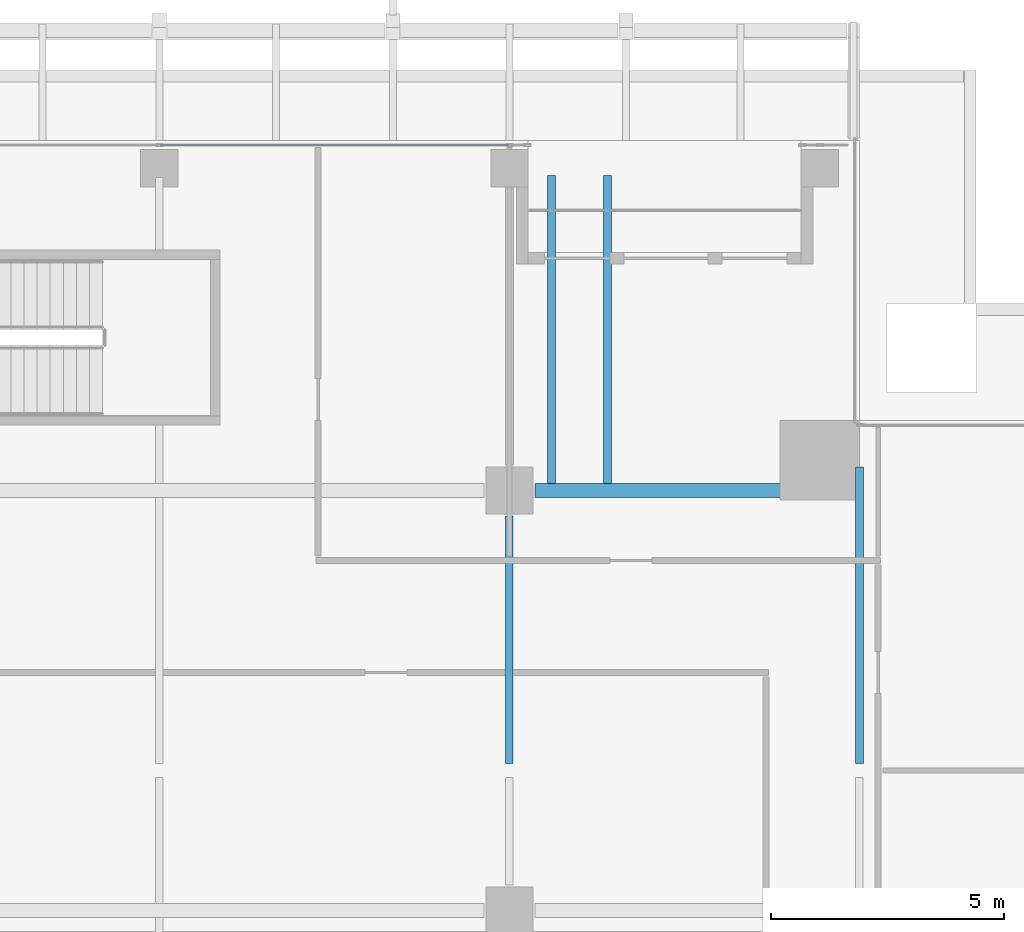
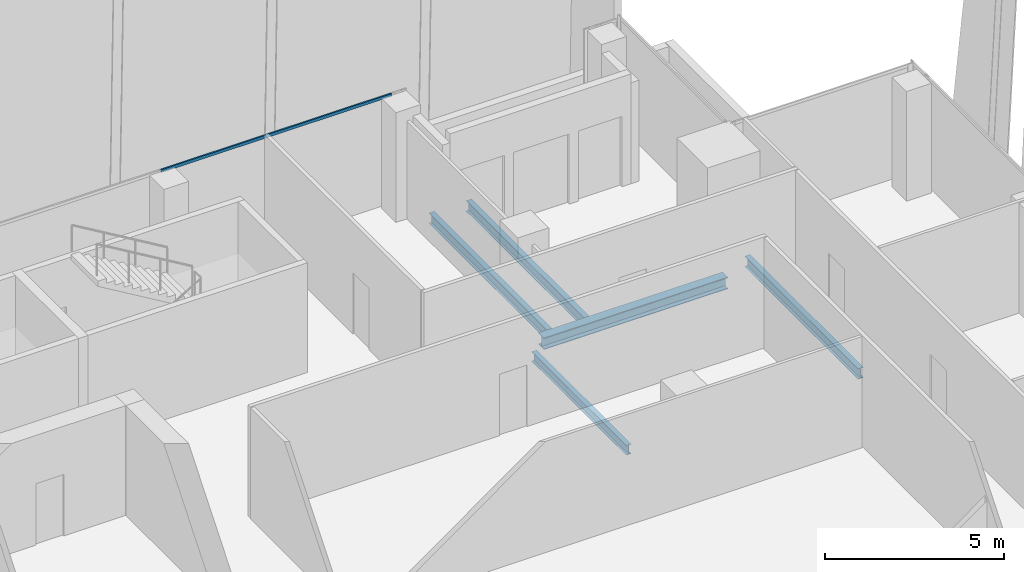
# One storey, part 16 of 32: 5 beams, 1 member, 1 element without a shape of its own.
"""IFC4 building model written with IfcOpenShell, lengths in metres."""

from ifc_helpers import new_model, si_unit, direction, frame, origin, origin_2d, place, context, subcontext, project, spatial, hollow_rectangle, i_section, extrude, source, transform, mapped, material, material_profile, profile_set, type_object, element, aggregate, save


model = new_model("IFC4")

# Units and contexts
model_context = context("Model", 3, precision=1e-05, world=origin(), true_north=direction((0.0, 1.0)))
body_context = subcontext(model_context, "Body", "Model", "MODEL_VIEW")
ifc_project = project(units=[si_unit("LENGTHUNIT", "METRE"), si_unit("AREAUNIT", "SQUARE_METRE"), si_unit("VOLUMEUNIT", "CUBIC_METRE"), si_unit("PLANEANGLEUNIT", "RADIAN"), si_unit("MASSUNIT", "GRAM", prefix="KILO")], contexts=[model_context])

# Site, building, storey
site_placement = place(None, origin())
site = spatial("IfcSite", under=ifc_project, at=site_placement, CompositionType="ELEMENT")
building_placement = place(site_placement, origin())
building = spatial("IfcBuilding", under=site, at=building_placement, Name="Khomas Fold Tower", CompositionType="ELEMENT")
storey_placement = place(building_placement, frame((0.0, 0.0, 282.199951171875)))
storey = spatial("IfcBuildingStorey", under=building, at=storey_placement, Name="L63", CompositionType="ELEMENT", Elevation=282.199951171875)

# Beams
ifc_material_1 = material(Name="Steel S355", Category="steel")
ifc_material_profile_1 = material_profile(ifc_material_1, i_section(OverallWidth=0.300048828125, OverallDepth=0.39990234375, WebThickness=0.013427734375, FlangeThickness=0.02392578125, at=origin_2d()), Name="HE 400 B")
ifc_profile_set_1 = profile_set([ifc_material_profile_1], Name="Steel S355")
beam_type_1 = type_object("IfcBeamType", Name="HE 400 B beam GB1", PredefinedType="BEAM", material=ifc_profile_set_1)
shared_shape_1 = source(origin(), body_context, "Body", "SweptSolid", [
    extrude(i_section(OverallWidth=0.300048828125, OverallDepth=0.39990234375, WebThickness=0.013427734375, FlangeThickness=0.02392578125, at=origin_2d()), origin(), (0.0, 0.0, 1.0), 5.949951171875),
])
beam_1_placement = place(storey_placement, frame((35.050048828125, 40.5, -0.449951171875), z_axis=(1.0, 0.0, 0.0), x_axis=(0.0, 1.0, 0.0)))
element("IfcBeam", 1, at=beam_1_placement, inside=storey, type_object=beam_type_1, Name="GB1", PredefinedType="BEAM", context=body_context, shape_type="MappedRepresentation", body=[
    mapped(shared_shape_1, transform((0.0, 0.0, 0.0))),
])
ifc_material_2 = material(Name="Steel S355", Category="steel")
ifc_material_profile_2 = material_profile(ifc_material_2, i_section(OverallWidth=0.159912109375, OverallDepth=0.330078125, WebThickness=0.007568359375, FlangeThickness=0.011474609375, at=origin_2d()), Name="IPE 330")
ifc_profile_set_2 = profile_set([ifc_material_profile_2], Name="Steel S355")
beam_type_2 = type_object("IfcBeamType", Name="IPE 330 beam JB1", PredefinedType="BEAM", material=ifc_profile_set_2)
shared_shape_2 = source(origin(), body_context, "Body", "SweptSolid", [
    extrude(i_section(OverallWidth=0.159912109375, OverallDepth=0.330078125, WebThickness=0.007568359375, FlangeThickness=0.011474609375, at=origin_2d()), origin(), (0.0, 0.0, 1.0), 5.299072265625),
])
beam_2_placement = place(storey_placement, frame((34.5, 34.65087890625, -0.4150390625), z_axis=(0.0, 1.0, 0.0), x_axis=(-1.0, 0.0, 0.0)))
element("IfcBeam", 2, at=beam_2_placement, inside=storey, type_object=beam_type_2, Name="JB1", PredefinedType="BEAM", context=body_context, shape_type="MappedRepresentation", body=[
    mapped(shared_shape_2, transform((0.0, 0.0, 0.0))),
])
ifc_material_3 = material(Name="Steel S355", Category="steel")
ifc_material_profile_3 = material_profile(ifc_material_3, i_section(OverallWidth=0.169921875, OverallDepth=0.360107421875, WebThickness=0.008056640625, FlangeThickness=0.0126953125, at=origin_2d()), Name="IPE 360")
ifc_profile_set_3 = profile_set([ifc_material_profile_3], Name="Steel S355")
beam_type_3 = type_object("IfcBeamType", Name="IPE 360 beam JB2", PredefinedType="BEAM", material=ifc_profile_set_3)
shared_shape_3 = source(origin(), body_context, "Body", "SweptSolid", [
    extrude(i_section(OverallWidth=0.169921875, OverallDepth=0.360107421875, WebThickness=0.008056640625, FlangeThickness=0.0126953125, at=origin_2d()), origin(), (0.0, 0.0, 1.0), 6.34912109375),
])
beam_3_placement = place(storey_placement, frame((42.0, 34.65087890625, -0.429931640625), z_axis=(0.0, 1.0, 0.0), x_axis=(-1.0, 0.0, 0.0)))
element("IfcBeam", 3, at=beam_3_placement, inside=storey, type_object=beam_type_3, Name="JB2", PredefinedType="BEAM", context=body_context, shape_type="MappedRepresentation", body=[
    mapped(shared_shape_3, transform((0.0, 0.0, 0.0))),
])
ifc_material_4 = material(Name="Steel S355", Category="steel")
ifc_material_profile_4 = material_profile(ifc_material_4, i_section(OverallWidth=0.169921875, OverallDepth=0.360107421875, WebThickness=0.008056640625, FlangeThickness=0.0126953125, at=origin_2d()), Name="IPE 360")
ifc_profile_set_4 = profile_set([ifc_material_profile_4], Name="Steel S355")
beam_type_4 = type_object("IfcBeamType", Name="IPE 360 beam BB4", PredefinedType="BEAM", material=ifc_profile_set_4)
shared_shape_4 = source(origin(), body_context, "Body", "SweptSolid", [
    extrude(i_section(OverallWidth=0.169921875, OverallDepth=0.360107421875, WebThickness=0.008056640625, FlangeThickness=0.0126953125, at=origin_2d()), origin(), (0.0, 0.0, 1.0), 6.60009765625),
])
for number, where, z_axis, x_axis, name in (
    (4, (35.39990234375, 40.64990234375, -0.429931640625), (0.0, 1.0, 0.0), (-1.0, 0.0, 0.0), "BB4"),
    (5, (36.60009765625, 40.64990234375, -0.429931640625), (0.0, 1.0, 0.0), (-1.0, 0.0, 0.0), "BB4"),
):
    element("IfcBeam", number, at=place(storey_placement, frame(where, z_axis=z_axis, x_axis=x_axis)), inside=storey, type_object=beam_type_4, Name=name, PredefinedType="BEAM", context=body_context, shape_type="MappedRepresentation", body=[
        mapped(shared_shape_4, transform((0.0, 0.0, 0.0))),
    ])

# Curtain wall, member
ifc_material_5 = material(Name="Aluminium framed double glazing", Category="aluminium")
curtain_wall_type = type_object("IfcCurtainWallType", Name="SK-Unitised clear-glass wall, upper floors CW3", PredefinedType="NOTDEFINED", material=ifc_material_5)
curtain_wall_placement = place(storey_placement, origin())
curtain_wall = element("IfcCurtainWall", 6, at=curtain_wall_placement, inside=storey, type_object=curtain_wall_type, Name="CW3 run L63 06-1", PredefinedType="NOTDEFINED")
ifc_material_6 = material(Name="Aluminium", Category="aluminium")
ifc_material_profile_5 = material_profile(ifc_material_6, hollow_rectangle(XDim=0.050048828125, YDim=0.10009765625, WallThickness=0.00390625, at=origin_2d()), Name="SK-Unitised clear-glass wall, upper floors transom CW3-T")
ifc_profile_set_5 = profile_set([ifc_material_profile_5], Name="Aluminium")
member_type = type_object("IfcMemberType", Name="SK-Unitised clear-glass wall, upper floors transom CW3-T", PredefinedType="USERDEFINED", material=ifc_profile_set_5)
shared_shape_5 = source(origin(), body_context, "Body", "SweptSolid", [
    extrude(hollow_rectangle(XDim=0.050048828125, YDim=0.10009765625, WallThickness=0.00390625, at=origin_2d()), origin(), (0.0, 0.0, 1.0), 7.4501953125),
])
member_placement = place(storey_placement, frame((34.47509765625, 47.89990234375, 3.699951171875), z_axis=(-1.0, 0.0, 0.0), x_axis=(0.0, -1.0, 0.0)))
member = element("IfcMember", 7, at=member_placement, type_object=member_type, Name="CW3 transom 2", ObjectType="TRANSOM", PredefinedType="USERDEFINED", context=body_context, shape_type="MappedRepresentation", body=[
    mapped(shared_shape_5, transform((0.0, 0.0, 0.0))),
])
aggregate(curtain_wall, [member])

save(model, "model.ifc")
